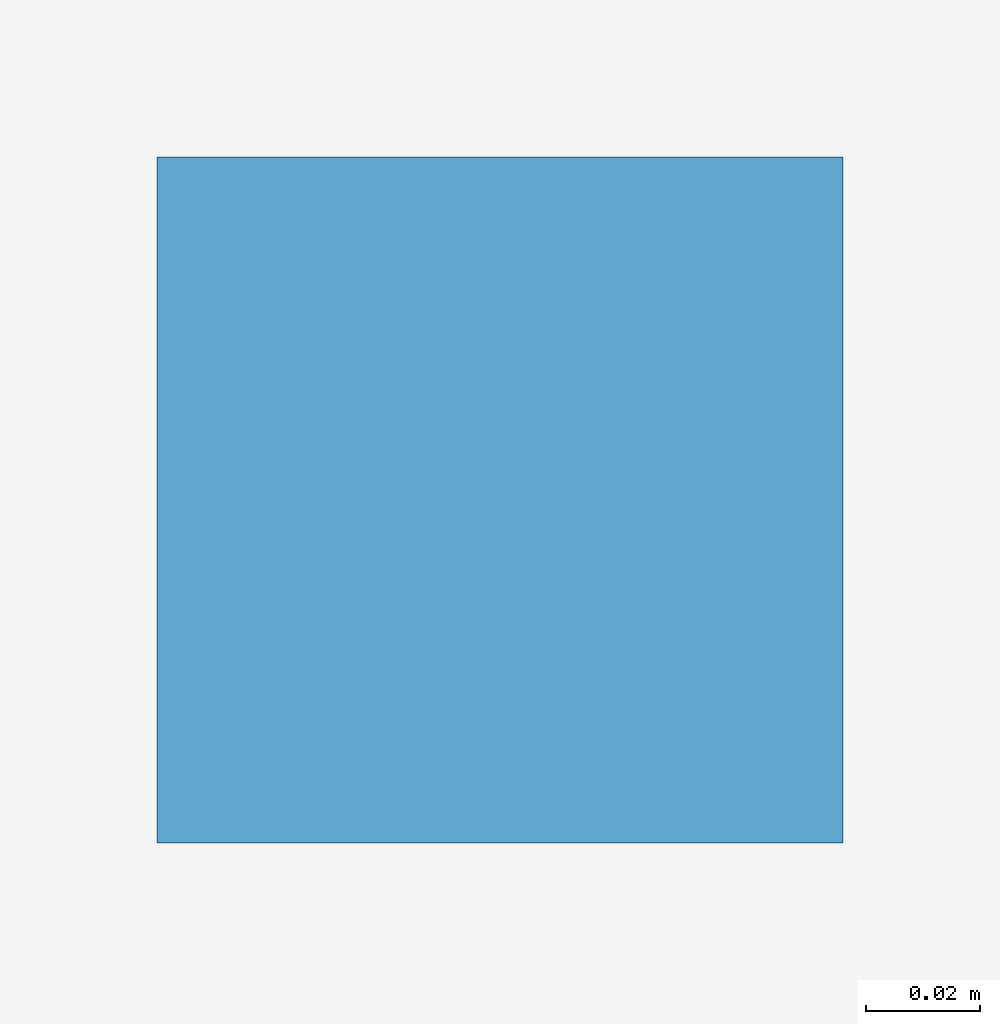
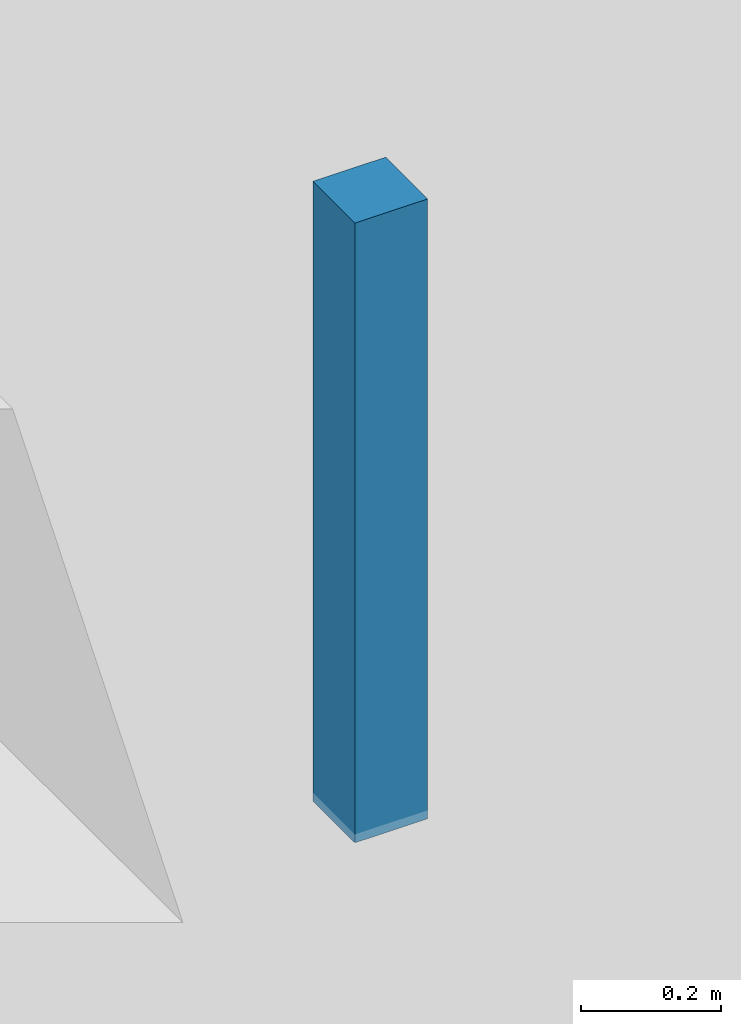
# One storey, part 24 of 41: 1 discrete accessory.
"""IFC4 building model written with IfcOpenShell, lengths in metres."""

import ifcopenshell
import ifcopenshell.guid

model = None  # the IFC model being written
_history = None  # IfcOwnerHistory: only IFC2X3 demands one
_inside = {}  # id of a spatial element -> (the spatial element, [elements in it])
_under = {}  # id of a project, library or spatial element -> (it, [spatial elements below it])
_declared = {}  # id of a project -> (the project, [libraries it declares])
_typed = {}  # id of a type object -> (the type object, [elements of that type])
_made_of = {}  # id of a material, layer set ... -> (it, [elements and type objects made of it])


def new_model(schema):
    """Start an empty IFC model of exactly this schema.

    Asked for "IFC4X3", IfcOpenShell would pick the latest addendum, in which some entities
    have other attributes; the version numbers below select the first issue.
    IFC2X3 requires an IfcOwnerHistory on every rooted entity: one is made here for all.
    """
    global model, _history
    if schema == "IFC4X3":
        model = ifcopenshell.file(schema_version=(4, 3, 0, 0))
    else:
        model = ifcopenshell.file(schema=schema)
    _inside.clear()
    _under.clear()
    _declared.clear()
    _typed.clear()
    _made_of.clear()
    _history = None
    if model.schema == "IFC2X3":
        org = make("IfcOrganization", Name="unknown")
        user = make(
            "IfcPersonAndOrganization",
            ThePerson=make("IfcPerson", FamilyName="unknown"),
            TheOrganization=org,
        )
        app = make(
            "IfcApplication",
            ApplicationDeveloper=org,
            Version="unknown",
            ApplicationFullName="unknown",
            ApplicationIdentifier="unknown",
        )
        _history = make(
            "IfcOwnerHistory",
            OwningUser=user,
            OwningApplication=app,
            ChangeAction="ADDED",
            CreationDate=0,
        )
    return model


def make(cls, **values):
    """One entity of the class cls with the attributes given. An attribute that is None is left unset."""
    return model.create_entity(
        cls, **{name: value for name, value in values.items() if value is not None}
    )


def rooted(cls, **values):
    """An entity with a GlobalId (a new one), such as an element, a storey or a relation."""
    return make(cls, GlobalId=ifcopenshell.guid.new(), OwnerHistory=_history, **values)


def si_unit(unit_type, name, prefix=None):
    """IfcSIUnit, for example si_unit("LENGTHUNIT", "METRE", prefix="MILLI")."""
    return make("IfcSIUnit", UnitType=unit_type, Prefix=prefix, Name=name)


def assignment(units):
    """IfcUnitAssignment: the units of a project."""
    return None if units is None else make("IfcUnitAssignment", Units=units)


def point(xyz):
    """IfcCartesianPoint."""
    return None if xyz is None else make("IfcCartesianPoint", Coordinates=xyz)


def direction(xyz):
    """IfcDirection."""
    return None if xyz is None else make("IfcDirection", DirectionRatios=xyz)


def frame(location, z_axis=None, x_axis=None):
    """IfcAxis2Placement3D, a coordinate frame: its origin and axes. An axis left out is left unset."""
    return make(
        "IfcAxis2Placement3D",
        Location=point(location),
        Axis=direction(z_axis),
        RefDirection=direction(x_axis),
    )


def frame_2d(location, x_axis=None):
    """IfcAxis2Placement2D, a coordinate frame in the plane: its origin and x axis."""
    return make(
        "IfcAxis2Placement2D", Location=point(location), RefDirection=direction(x_axis)
    )


def origin():
    """The frame at (0, 0, 0) with its axes left unset."""
    return frame((0.0, 0.0, 0.0))


def origin_2d():
    """The frame at (0, 0) in the plane with its x axis left unset."""
    return frame_2d((0.0, 0.0))


def place(relative_to, where):
    """IfcLocalPlacement: puts the frame where relative to a parent placement (None: the world)."""
    return make(
        "IfcLocalPlacement", PlacementRelTo=relative_to, RelativePlacement=where
    )


def context(
    kind, dimensions, precision=None, world=None, true_north=None, identifier=None
):
    """IfcGeometricRepresentationContext, for example the 3D "Model" context."""
    return make(
        "IfcGeometricRepresentationContext",
        ContextIdentifier=identifier,
        ContextType=kind,
        CoordinateSpaceDimension=dimensions,
        Precision=precision,
        WorldCoordinateSystem=world,
        TrueNorth=true_north,
    )


def subcontext(parent, identifier, kind, view, scale=None):
    """IfcGeometricRepresentationSubContext, for example "Body" below "Model"."""
    return make(
        "IfcGeometricRepresentationSubContext",
        ContextIdentifier=identifier,
        ContextType=kind,
        ParentContext=parent,
        TargetScale=scale,
        TargetView=view,
    )


def project(units=None, contexts=None):
    """IfcProject with its units and contexts."""
    return rooted(
        "IfcProject",
        Name="project",
        RepresentationContexts=contexts,
        UnitsInContext=assignment(units),
    )


def spatial(cls, under=None, at=None, **own):
    """A site, building, storey or space (cls), placed at a placement, below another one or the project."""
    s = rooted(cls, ObjectPlacement=at, **own)
    if under is not None:
        _under.setdefault(under.id(), (under, []))[1].append(s)
    return s


def profile(cls, at=None, kind="AREA", **sizes):
    """A parametric profile (cls). Its sizes go by their IFC names, for example OverallWidth=200.0."""
    return make(cls, ProfileType=kind, Position=at, **sizes)


def rectangle(**sizes):
    """IfcRectangleProfileDef."""
    return profile("IfcRectangleProfileDef", **sizes)


def extrude(swept, where, along, depth):
    """IfcExtrudedAreaSolid: the profile swept, set in the frame where, extruded along a direction by depth."""
    return make(
        "IfcExtrudedAreaSolid",
        SweptArea=swept,
        Position=where,
        ExtrudedDirection=direction(along),
        Depth=depth,
    )


def shape(context_of_items, identifier, shape_type, items):
    """IfcShapeRepresentation: the items that make up one representation, for example the "Body"."""
    return make(
        "IfcShapeRepresentation",
        ContextOfItems=context_of_items,
        RepresentationIdentifier=identifier,
        RepresentationType=shape_type,
        Items=items,
    )


def material(Name=None, Category=None):
    """IfcMaterial."""
    return make("IfcMaterial", Name=Name, Category=Category)


def made_of(thing, what):
    """Note that an element or type object is made of a material, layer set ...; save() writes the relation."""
    if what is not None:
        _made_of.setdefault(what.id(), (what, []))[1].append(thing)
    return thing


def type_object(cls, material=None, **own):
    """A type object (cls), such as IfcWallType, which elements share."""
    return made_of(rooted(cls, **own), material)


def element(
    cls,
    number,
    at=None,
    inside=None,
    cuts=None,
    type_object=None,
    material=None,
    context=None,
    identifier="Body",
    shape_type=None,
    held_by="IfcProductDefinitionShape",
    body=None,
    shapes=None,
    **own,
):
    """One element of the class cls, such as IfcWall. Its Tag is "e" and its number.

    at: its placement. inside: the storey or other place that contains it. cuts: it is an
    opening in that element (IfcRelVoidsElement). A single representation is given by context,
    identifier, shape_type and body (its items); several are given by shapes. held_by: the class
    of the entity that holds the representations. save() writes the other relations.
    """
    e = rooted(cls, Tag="e%d" % number, ObjectPlacement=at, **own)
    if body is not None:
        shapes = [shape(context, identifier, shape_type, body)]
    if shapes is not None:
        e.Representation = make(held_by, Representations=shapes)
    if inside is not None:
        _inside.setdefault(inside.id(), (inside, []))[1].append(e)
    if cuts is not None:
        rooted(
            "IfcRelVoidsElement", RelatingBuildingElement=cuts, RelatedOpeningElement=e
        )
    if type_object is not None:
        _typed.setdefault(type_object.id(), (type_object, []))[1].append(e)
    return made_of(e, material)


def aggregate(whole, parts):
    """IfcRelAggregates: a whole, such as a stair, and the parts it consists of."""
    return rooted("IfcRelAggregates", RelatingObject=whole, RelatedObjects=parts)


def save(model, path):
    """Write the relations noted so far, then the file.

    IfcRelAggregates (storeys below a building ...), IfcRelContainedInSpatialStructure (elements
    in a storey), IfcRelDefinesByType, IfcRelAssociatesMaterial and IfcRelDeclares: one each for
    every whole, place, type object, material and project.
    """
    for whole, parts in _under.values():
        aggregate(whole, parts)
    for where, things in _inside.values():
        rooted(
            "IfcRelContainedInSpatialStructure",
            RelatedElements=things,
            RelatingStructure=where,
        )
    for kind, things in _typed.values():
        rooted("IfcRelDefinesByType", RelatedObjects=things, RelatingType=kind)
    for what, things in _made_of.values():
        rooted("IfcRelAssociatesMaterial", RelatedObjects=things, RelatingMaterial=what)
    for by, libraries in _declared.values():
        rooted("IfcRelDeclares", RelatingContext=by, RelatedDefinitions=libraries)
    model.write(path)


model = new_model("IFC4")

# Units and contexts
model_context = context("Model", 3, precision=1e-05, world=origin(), true_north=direction((0.0, 1.0)))
body_context = subcontext(model_context, "Body", "Model", "MODEL_VIEW")
ifc_project = project(units=[si_unit("LENGTHUNIT", "METRE"), si_unit("AREAUNIT", "SQUARE_METRE"), si_unit("VOLUMEUNIT", "CUBIC_METRE"), si_unit("PLANEANGLEUNIT", "RADIAN"), si_unit("MASSUNIT", "GRAM", prefix="KILO")], contexts=[model_context])

# Site, building, storey
site_placement = place(None, origin())
site = spatial("IfcSite", under=ifc_project, at=site_placement, CompositionType="ELEMENT")
building_placement = place(site_placement, origin())
building = spatial("IfcBuilding", under=site, at=building_placement, Name="Fikremerkos Civic Library", CompositionType="ELEMENT")
storey_placement = place(building_placement, frame((0.0, 0.0, -8.39990234375)))
storey = spatial("IfcBuildingStorey", under=building, at=storey_placement, Name="B02", CompositionType="ELEMENT", Elevation=-8.39990234375)

# Discrete accessory
ifc_material = material(Name="Galvanized Steel S275", Category="steel")
discrete_accessory_type = type_object("IfcDiscreteAccessoryType", Name="Ceiling hanger bracket BRK-01", PredefinedType="BRACKET", material=ifc_material)
discrete_accessory_placement = place(storey_placement, frame((60.60009765625, 14.800048828125, 2.7998046875), z_axis=(0.0, 0.0, 1.0), x_axis=(1.0, 0.0, 0.0)))
element("IfcDiscreteAccessory", 1, at=discrete_accessory_placement, inside=storey, type_object=discrete_accessory_type, Name="Acoustic ceiling hanger bracket #4", PredefinedType="BRACKET", context=body_context, shape_type="SweptSolid", body=[
    extrude(rectangle(XDim=0.1201171875, YDim=0.1201171875, at=origin_2d()), origin(), (0.0, 0.0, 1.0), 1.080078125),
])

save(model, "model.ifc")
